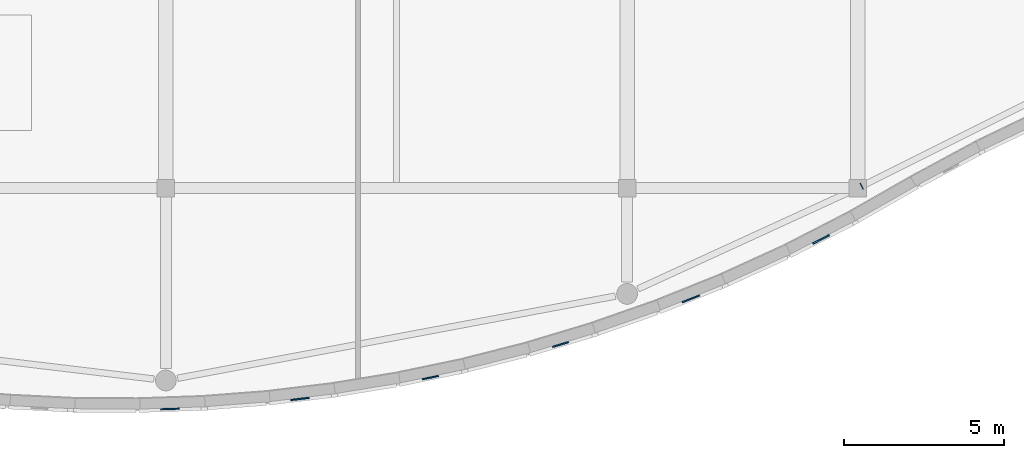
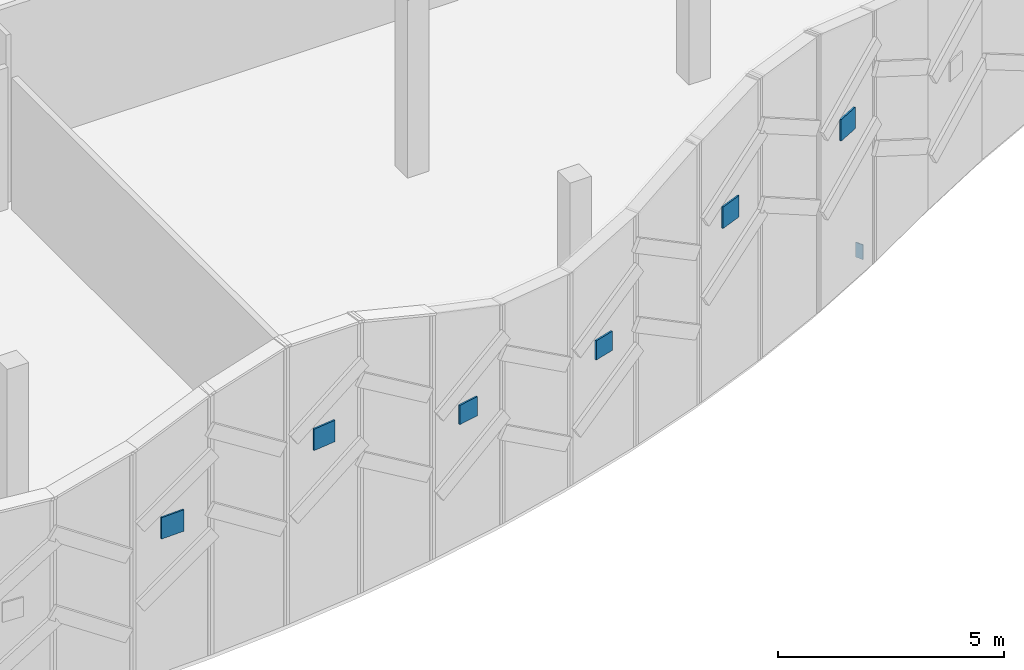
# One storey, part 72 of 116: 7 plates.
"""IFC4 building model written with IfcOpenShell, lengths in metres."""

from ifc_helpers import new_model, si_unit, direction, frame, origin, origin_2d, place, context, subcontext, project, spatial, rectangle, extrude, material, layer, layer_set, type_object, element, save


model = new_model("IFC4")

# Units and contexts
model_context = context("Model", 3, precision=1e-05, world=origin(), true_north=direction((0.0, 1.0)))
body_context = subcontext(model_context, "Body", "Model", "MODEL_VIEW")
ifc_project = project(units=[si_unit("LENGTHUNIT", "METRE"), si_unit("AREAUNIT", "SQUARE_METRE"), si_unit("VOLUMEUNIT", "CUBIC_METRE"), si_unit("PLANEANGLEUNIT", "RADIAN"), si_unit("MASSUNIT", "GRAM", prefix="KILO")], contexts=[model_context])

# Site, building, storey
site_placement = place(None, origin())
site = spatial("IfcSite", under=ifc_project, at=site_placement, CompositionType="ELEMENT")
building_placement = place(site_placement, origin())
building = spatial("IfcBuilding", under=site, at=building_placement, Name="Cendralis Lancet Convention Centre", CompositionType="ELEMENT")
storey_placement = place(building_placement, frame((0.0, 0.0, 15.0)))
storey = spatial("IfcBuildingStorey", under=building, at=storey_placement, Name="L03", CompositionType="ELEMENT", Elevation=15.0)

# Plates
ifc_material_1 = material(Name="Warm buff sandstone chevron cassette", Category="masonry")
ifc_layer_1 = layer(ifc_material_1, 0.044921875, Name="Warm buff sandstone chevron cassette")
ifc_layer_set_1 = layer_set([ifc_layer_1], Name="Warm buff sandstone chevron cassette")
plate_type_1 = type_object("IfcPlateType", Name="ARC-PL-CHV1", PredefinedType="SHEET", material=ifc_layer_set_1)
for number, where, z_axis, x_axis, name in (
    (1, (57.725341796875, 0.30517578125, 3.637939453125), (0.0, 0.0, 1.0), (0.999403551225, 0.034533198497, 0.0), "Chevron Keystone Cassette CHV-S1 #0045"),
    (2, (73.989990234375, 3.742919921875, 4.306884765625), (0.0, 0.0, 1.0), (0.928063926041, 0.372420930105, 0.0), "Chevron Keystone Cassette CHV-S1 #0057"),
):
    element("IfcPlate", number, at=place(storey_placement, frame(where, z_axis=z_axis, x_axis=x_axis)), inside=storey, type_object=plate_type_1, Name=name, PredefinedType="SHEET", context=body_context, shape_type="SweptSolid", body=[
        extrude(rectangle(XDim=0.580078125, YDim=0.044921875, at=origin_2d()), origin(), (0.0, 0.0, 1.0), 0.580078125),
    ])
ifc_material_2 = material(Name="Dark Andean slate chevron cassette", Category="masonry")
ifc_layer_2 = layer(ifc_material_2, 0.048095703125, Name="Dark Andean slate chevron cassette")
ifc_layer_set_2 = layer_set([ifc_layer_2], Name="Dark Andean slate chevron cassette")
plate_type_2 = type_object("IfcPlateType", Name="ARC-PL-CHV2", PredefinedType="SHEET", material=ifc_layer_set_2)
for number, where, z_axis, x_axis, name in (
    (3, (61.79150390625, 0.619384765625, 4.432861328125), (0.0, 0.0, 1.0), (0.992818021481, 0.119634343823, 0.0), "Chevron Keystone Cassette CHV-D1 #0048"),
    (4, (78.055908203125, 5.599365234375, 4.132080078125), (0.0, 0.0, 1.0), (0.889543984432, 0.456849537333, 0.0), "Chevron Keystone Cassette CHV-D1 #0060"),
):
    element("IfcPlate", number, at=place(storey_placement, frame(where, z_axis=z_axis, x_axis=x_axis)), inside=storey, type_object=plate_type_2, Name=name, PredefinedType="SHEET", context=body_context, shape_type="SweptSolid", body=[
        extrude(rectangle(XDim=0.580078125, YDim=0.048095703125, at=origin_2d()), origin(), (0.0, 0.0, 1.0), 0.580078125),
    ])
ifc_layer_3 = layer(ifc_material_1, 0.044921875, Name="Warm buff sandstone chevron cassette")
ifc_layer_set_3 = layer_set([ifc_layer_3], Name="Warm buff sandstone chevron cassette")
plate_type_3 = type_object("IfcPlateType", Name="ARC-PL-CHV3", PredefinedType="SHEET", material=ifc_layer_set_3)
plate_1_placement = place(storey_placement, frame((65.857666015625, 1.285400390625, 3.303955078125), z_axis=(0.0, 0.0, 1.0), x_axis=(0.979084550851, 0.203453784151, 0.0)))
element("IfcPlate", 5, at=plate_1_placement, inside=storey, type_object=plate_type_3, Name="Chevron Keystone Cassette CHV-S2 #0051", PredefinedType="SHEET", context=body_context, shape_type="SweptSolid", body=[
    extrude(rectangle(XDim=0.52001953125, YDim=0.044921875, at=origin_2d()), origin(), (0.0, 0.0, 1.0), 0.52001953125),
])
ifc_layer_4 = layer(ifc_material_2, 0.048095703125, Name="Dark Andean slate chevron cassette")
ifc_layer_set_4 = layer_set([ifc_layer_4], Name="Dark Andean slate chevron cassette")
plate_type_4 = type_object("IfcPlateType", Name="ARC-PL-CHV4", PredefinedType="SHEET", material=ifc_layer_set_4)
plate_2_placement = place(storey_placement, frame((69.923828125, 2.318359375, 3.011962890625), z_axis=(0.0, 0.0, 1.0), x_axis=(0.957631699488, 0.287995708538, 0.0)))
element("IfcPlate", 6, at=plate_2_placement, inside=storey, type_object=plate_type_4, Name="Chevron Keystone Cassette CHV-D2 #0054", PredefinedType="SHEET", context=body_context, shape_type="SweptSolid", body=[
    extrude(rectangle(XDim=0.52001953125, YDim=0.048095703125, at=origin_2d()), origin(), (0.0, 0.0, 1.0), 0.52001953125),
])
ifc_material_3 = material(Name="Steel S355", Category="steel")
ifc_layer_5 = layer(ifc_material_3, 0.02392578125, Name="Steel S355")
ifc_layer_set_5 = layer_set([ifc_layer_5], Name="Steel S355")
plate_type_5 = type_object("IfcPlateType", Name="STR-PL-EP24", PredefinedType="USERDEFINED", material=ifc_layer_set_5)
plate_3_placement = place(storey_placement, frame((79.323486328125, 7.26171875, -0.659912109375), z_axis=(0.0, 0.0, 1.0), x_axis=(0.89442680992, 0.44721435766, 0.0)))
element("IfcPlate", 7, at=plate_3_placement, inside=storey, type_object=plate_type_5, Name="L03 Spandrel SP03 Sealed End Plate EP-24", ObjectType="GUSSET PLATE", PredefinedType="USERDEFINED", context=body_context, shape_type="SweptSolid", body=[
    extrude(rectangle(XDim=0.02392578125, YDim=0.199951171875, at=origin_2d()), origin(), (0.0, 0.0, 1.0), 0.39990234375),
])

save(model, "model.ifc")
